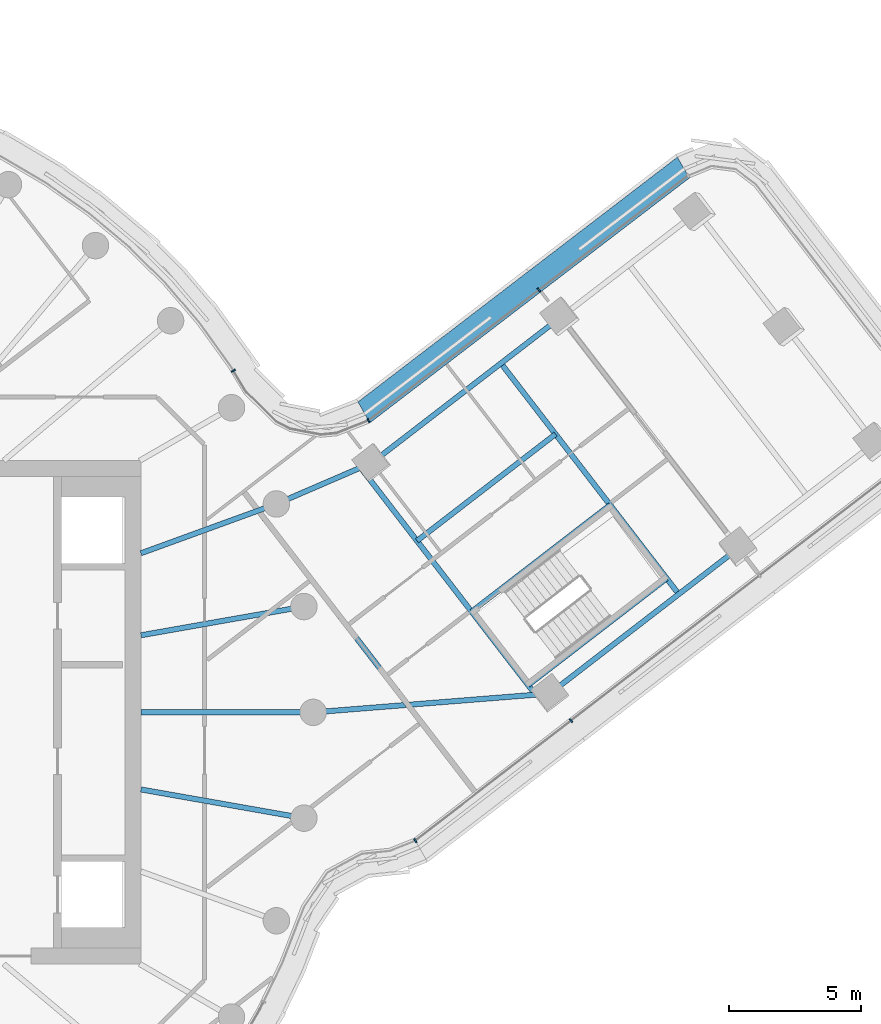
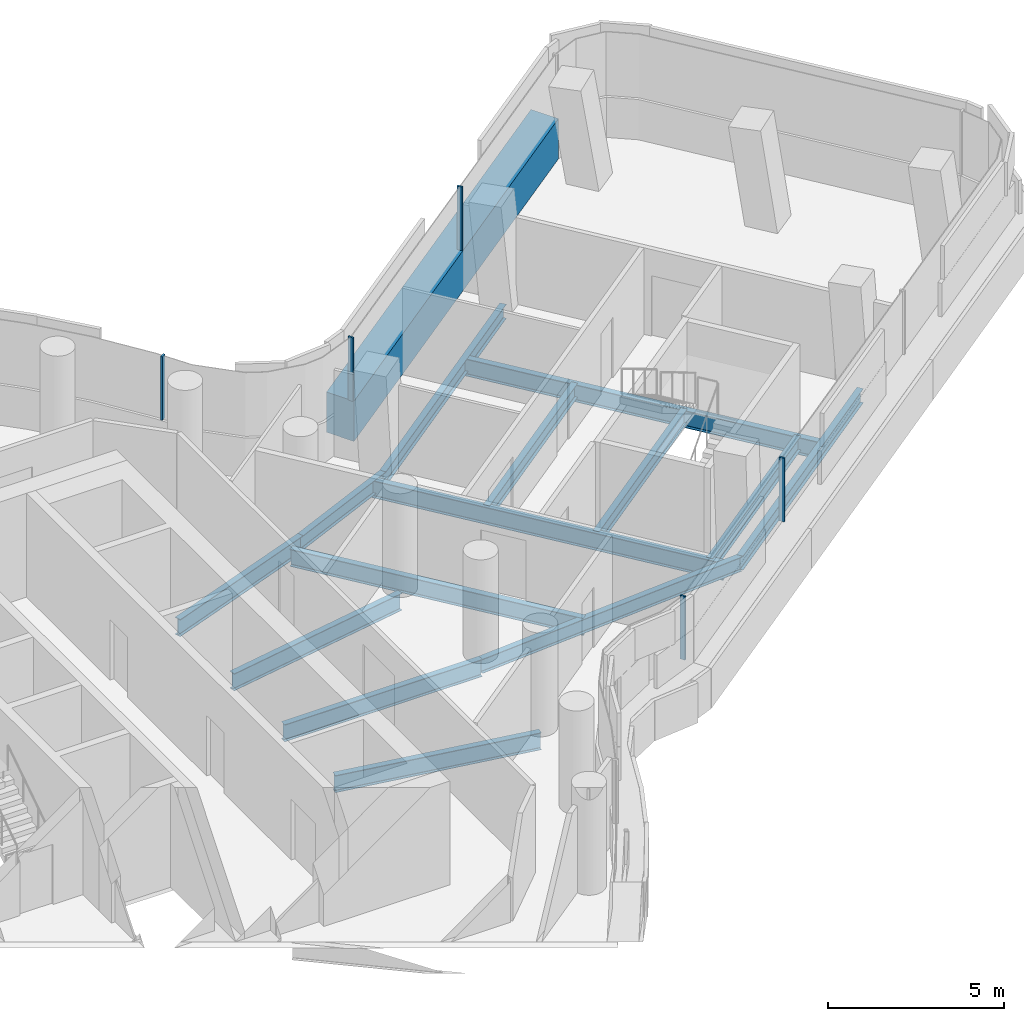
# One storey, part 12 of 33: 14 beams, 6 members, 3 elements without a shape of their own.
"""IFC4 building model written with IfcOpenShell, lengths in metres."""

from ifc_helpers import new_model, si_unit, direction, frame, origin, origin_2d, place, context, subcontext, project, spatial, polyline, rectangle, i_section, outline, extrude, material, layer, layer_set, material_profile, profile_set, type_object, element, aggregate, save


model = new_model("IFC4")

# Units and contexts
model_context = context("Model", 3, precision=1e-05, world=origin(), true_north=direction((0.0, 1.0)))
body_context = subcontext(model_context, "Body", "Model", "MODEL_VIEW")
ifc_project = project(units=[si_unit("LENGTHUNIT", "METRE"), si_unit("AREAUNIT", "SQUARE_METRE"), si_unit("VOLUMEUNIT", "CUBIC_METRE"), si_unit("PLANEANGLEUNIT", "RADIAN"), si_unit("MASSUNIT", "GRAM", prefix="KILO")], contexts=[model_context])

# Site, building, storey
site_placement = place(None, origin())
site = spatial("IfcSite", under=ifc_project, at=site_placement, CompositionType="ELEMENT")
building_placement = place(site_placement, origin())
building = spatial("IfcBuilding", under=site, at=building_placement, Name="Tamarind Cross Interchange Tower", CompositionType="ELEMENT")
storey_placement = place(building_placement, frame((0.0, 0.0, 170.5)))
storey = spatial("IfcBuildingStorey", under=building, at=storey_placement, Name="L42", CompositionType="ELEMENT", Elevation=170.5)

# Beams
ifc_material_1 = material(Name="Steel Q355B", Category="steel")
ifc_material_profile_1 = material_profile(ifc_material_1, i_section(OverallWidth=0.198974609375, OverallDepth=0.49609375, WebThickness=0.009033203125, FlangeThickness=0.013916015625, FilletRadius=0.012939453125, at=origin_2d()), Name="HN 496x199x9x14")
ifc_profile_set_1 = profile_set([ifc_material_profile_1], Name="Steel Q355B")
beam_type_1 = type_object("IfcBeamType", Name="Composite beam HN 496x199x9x14 Q355B", PredefinedType="BEAM", material=ifc_profile_set_1)
for number, where, z_axis, x_axis, name in (
    (1, (39.06103515625, 6.20166015625, -0.387939453125), (-0.792152817662, -0.610322794486, 0.0), (0.610322794486, -0.792152817662, 0.0), "Beam E-edgeem6"),
    (2, (32.347412109375, 14.91552734375, -0.387939453125), (-0.792152817662, -0.610322794486, 0.0), (0.610322794486, -0.792152817662, 0.0), "Beam E-edgeep3"),
):
    element("IfcBeam", number, at=place(storey_placement, frame(where, z_axis=z_axis, x_axis=x_axis)), inside=storey, type_object=beam_type_1, Name=name, PredefinedType="BEAM", context=body_context, shape_type="SweptSolid", body=[
        extrude(i_section(OverallWidth=0.198974609375, OverallDepth=0.49609375, WebThickness=0.009033203125, FlangeThickness=0.013916015625, FilletRadius=0.012939453125, at=origin_2d()), origin(), (0.0, 0.0, 1.0), 9.0),
    ])
beam_1_placement = place(storey_placement, frame((31.931640625, 0.708740234375, -0.387939453125), z_axis=(-0.996866449961, -0.079102976827, 0.0), x_axis=(0.079102976827, -0.996866449961, 0.0)))
element("IfcBeam", 3, at=beam_1_placement, inside=storey, type_object=beam_type_1, Name="Beam E-linkem", PredefinedType="BEAM", context=body_context, shape_type="SweptSolid", body=[
    extrude(i_section(OverallWidth=0.198974609375, OverallDepth=0.49609375, WebThickness=0.009033203125, FlangeThickness=0.013916015625, FilletRadius=0.012939453125, at=origin_2d()), origin(), (0.0, 0.0, 1.0), 8.959716796875),
])
beam_2_placement = place(storey_placement, frame((25.218017578125, 9.422607421875, -0.387939453125), z_axis=(-0.918112748588, -0.396319291582, 0.0), x_axis=(0.396319291582, -0.918112748588, 0.0)))
element("IfcBeam", 4, at=beam_2_placement, inside=storey, type_object=beam_type_1, Name="Beam E-linkep", PredefinedType="BEAM", context=body_context, shape_type="SweptSolid", body=[
    extrude(i_section(OverallWidth=0.198974609375, OverallDepth=0.49609375, WebThickness=0.009033203125, FlangeThickness=0.013916015625, FilletRadius=0.012939453125, at=origin_2d()), origin(), (0.0, 0.0, 1.0), 3.926513671875),
])
for number, where, z_axis, x_axis, name in (
    (5, (31.117431640625, 1.0283203125, -0.387939453125), (0.792160342435, 0.610313027776, 0.0), (-0.610313027776, 0.792160342435, 0.0), "Beam E-tr0"),
    (6, (28.981201171875, 3.80078125, -0.387939453125), (0.792160342435, 0.610313027776, 0.0), (-0.610313027776, 0.792160342435, 0.0), "Beam E-tr1"),
    (7, (26.92138671875, 6.474365234375, -0.387939453125), (0.792160342435, 0.610313027776, 0.0), (-0.610313027776, 0.792160342435, 0.0), "Beam E-stripp"),
):
    element("IfcBeam", number, at=place(storey_placement, frame(where, z_axis=z_axis, x_axis=x_axis)), inside=storey, type_object=beam_type_1, Name=name, PredefinedType="BEAM", context=body_context, shape_type="SweptSolid", body=[
        extrude(i_section(OverallWidth=0.198974609375, OverallDepth=0.49609375, WebThickness=0.009033203125, FlangeThickness=0.013916015625, FilletRadius=0.012939453125, at=origin_2d()), origin(), (0.0, 0.0, 1.0), 6.60009765625),
    ])
ifc_material_profile_2 = material_profile(ifc_material_1, i_section(OverallWidth=0.198974609375, OverallDepth=0.595947265625, WebThickness=0.010009765625, FlangeThickness=0.014892578125, FilletRadius=0.012939453125, at=origin_2d()), Name="HN 596x199x10x15")
ifc_profile_set_2 = profile_set([ifc_material_profile_2], Name="Steel Q355B")
beam_type_2 = type_object("IfcBeamType", Name="Composite beam HN 596x199x10x15 Q355B", PredefinedType="BEAM", material=ifc_profile_set_2)
beam_3_placement = place(storey_placement, frame((23.0, 0.0, -0.43798828125), z_axis=(-1.0, 0.0, 0.0), x_axis=(0.0, -1.0, 0.0)))
element("IfcBeam", 8, at=beam_3_placement, inside=storey, type_object=beam_type_2, Name="Beam HH00", PredefinedType="BEAM", context=body_context, shape_type="SweptSolid", body=[
    extrude(i_section(OverallWidth=0.198974609375, OverallDepth=0.595947265625, WebThickness=0.010009765625, FlangeThickness=0.014892578125, FilletRadius=0.012939453125, at=origin_2d()), origin(), (0.0, 0.0, 1.0), 6.5),
])
beam_4_placement = place(storey_placement, frame((22.650634765625, 3.993896484375, -0.43798828125), z_axis=(-0.984809127561, -0.173640382036, 0.0), x_axis=(0.173640382036, -0.984809127561, 0.0)))
element("IfcBeam", 9, at=beam_4_placement, inside=storey, type_object=beam_type_2, Name="Beam HH01", PredefinedType="BEAM", context=body_context, shape_type="SweptSolid", body=[
    extrude(i_section(OverallWidth=0.198974609375, OverallDepth=0.595947265625, WebThickness=0.010009765625, FlangeThickness=0.014892578125, FilletRadius=0.012939453125, at=origin_2d()), origin(), (0.0, 0.0, 1.0), 6.24560546875),
])
beam_5_placement = place(storey_placement, frame((21.613037109375, 7.866455078125, -0.43798828125), z_axis=(-0.939701685589, -0.341995236956, 0.0), x_axis=(0.341995236956, -0.939701685589, 0.0)))
element("IfcBeam", 10, at=beam_5_placement, inside=storey, type_object=beam_type_2, Name="Beam HH02", PredefinedType="BEAM", context=body_context, shape_type="SweptSolid", body=[
    extrude(i_section(OverallWidth=0.198974609375, OverallDepth=0.595947265625, WebThickness=0.010009765625, FlangeThickness=0.014892578125, FilletRadius=0.012939453125, at=origin_2d()), origin(), (0.0, 0.0, 1.0), 5.441162109375),
])
beam_6_placement = place(storey_placement, frame((22.650634765625, -3.993896484375, -0.43798828125), z_axis=(-0.984809127561, 0.173640382036, 0.0), x_axis=(-0.173640382036, -0.984809127561, 0.0)))
element("IfcBeam", 11, at=beam_6_placement, inside=storey, type_object=beam_type_2, Name="Beam HH35", PredefinedType="BEAM", context=body_context, shape_type="SweptSolid", body=[
    extrude(i_section(OverallWidth=0.198974609375, OverallDepth=0.595947265625, WebThickness=0.010009765625, FlangeThickness=0.014892578125, FilletRadius=0.012939453125, at=origin_2d()), origin(), (0.0, 0.0, 1.0), 6.24560546875),
])
ifc_material_profile_3 = material_profile(ifc_material_1, i_section(OverallWidth=0.199951171875, OverallDepth=0.60009765625, WebThickness=0.010986328125, FlangeThickness=0.01708984375, FilletRadius=0.012939453125, at=origin_2d()), Name="HN 600x200x11x17")
ifc_profile_set_3 = profile_set([ifc_material_profile_3], Name="Steel Q355B")
beam_type_3 = type_object("IfcBeamType", Name="Composite beam HN 600x200x11x17 Q355B", PredefinedType="BEAM", material=ifc_profile_set_3)
beam_7_placement = place(storey_placement, frame((31.396240234375, 0.666259765625, -0.43994140625), z_axis=(-0.610316790724, 0.792157443291, 0.0), x_axis=(-0.792157443291, -0.610316790724, 0.0)))
element("IfcBeam", 12, at=beam_7_placement, inside=storey, type_object=beam_type_3, Name="Beam E-x298", PredefinedType="BEAM", context=body_context, shape_type="SweptSolid", body=[
    extrude(i_section(OverallWidth=0.199951171875, OverallDepth=0.60009765625, WebThickness=0.010986328125, FlangeThickness=0.01708984375, FilletRadius=0.012939453125, at=origin_2d()), origin(), (0.0, 0.0, 1.0), 10.821533203125),
])
beam_8_placement = place(storey_placement, frame((36.803466796875, 4.46240234375, -0.43994140625), z_axis=(-0.61032946621, 0.792147677315, 0.0), x_axis=(-0.792147677315, -0.61032946621, 0.0)))
element("IfcBeam", 13, at=beam_8_placement, inside=storey, type_object=beam_type_3, Name="Beam E-x364", PredefinedType="BEAM", context=body_context, shape_type="SweptSolid", body=[
    extrude(i_section(OverallWidth=0.199951171875, OverallDepth=0.60009765625, WebThickness=0.010986328125, FlangeThickness=0.01708984375, FilletRadius=0.012939453125, at=origin_2d()), origin(), (0.0, 0.0, 1.0), 11.0),
])
beam_9_placement = place(storey_placement, frame((26.578369140625, 0.283935546875, -0.43994140625), z_axis=(-0.610332028188, 0.79214570337, 0.0), x_axis=(-0.79214570337, -0.610332028188, 0.0)))
element("IfcBeam", 14, at=beam_9_placement, inside=storey, type_object=beam_type_3, Name="Beam E-x258", PredefinedType="BEAM", context=body_context, shape_type="SweptSolid", body=[
    extrude(i_section(OverallWidth=0.199951171875, OverallDepth=0.60009765625, WebThickness=0.010986328125, FlangeThickness=0.01708984375, FilletRadius=0.012939453125, at=origin_2d()), origin(), (0.0, 0.0, 1.0), 9.037109375),
])

# Curtain wall, members
ifc_material_2 = material(Name="Aluminium 6063-T6", Category="aluminium")
ifc_layer = layer(ifc_material_2, 0.159912109375)
ifc_layer_set = layer_set([ifc_layer], Name="Aluminium 6063-T6")
curtain_wall_type = type_object("IfcCurtainWallType", Name="Office curtain wall, 9.0 m bays", PredefinedType="NOTDEFINED", material=ifc_layer_set)
curtain_wall_1_placement = place(storey_placement, origin())
curtain_wall_1 = element("IfcCurtainWall", 15, at=curtain_wall_1_placement, inside=storey, type_object=curtain_wall_type, Name="CWS-L42-01", PredefinedType="NOTDEFINED")
ifc_material_3 = material(Name="Aluminium and insulated spandrel panel", Category="aluminium")
member_type_1 = type_object("IfcMemberType", Name="Floor-edge blade transom", PredefinedType="USERDEFINED", material=ifc_material_3)
member_1_placement = place(storey_placement, origin())
member_1 = element("IfcMember", 16, at=member_1_placement, type_object=member_type_1, Name="CWT-L42-01", ObjectType="TRANSOM", PredefinedType="USERDEFINED", context=body_context, shape_type="SweptSolid", body=[
    extrude(outline(polyline([(37.205078125, 20.173095703125), (25.139892578125, 10.9267578125), (24.69287109375, 11.718017578125), (36.750732421875, 20.958740234375), (37.205078125, 20.173095703125)])), origin(), (0.0, 0.0, 1.0), 1.39990234375),
])
ifc_material_profile_4 = material_profile(ifc_material_2, rectangle(XDim=0.06005859375, YDim=0.159912109375, at=origin_2d()), Name="Mullion CW1")
ifc_profile_set_4 = profile_set([ifc_material_profile_4], Name="Aluminium 6063-T6")
member_type_2 = type_object("IfcMemberType", Name="Mullion CW1", PredefinedType="MULLION", material=ifc_profile_set_4)
member_2_placement = place(storey_placement, frame((31.52099609375, 15.94287109375, 1.39990234375), z_axis=(0.0, 0.0, 1.0), x_axis=(-0.793725115769, -0.608276615198, 0.0)))
member_2 = element("IfcMember", 17, at=member_2_placement, type_object=member_type_2, Name="CWM-L42-01-01", PredefinedType="MULLION", context=body_context, shape_type="SweptSolid", body=[
    extrude(rectangle(XDim=0.06005859375, YDim=0.159912109375, at=origin_2d()), origin(), (0.0, 0.0, 1.0), 2.210205078125),
])
aggregate(curtain_wall_1, [member_2, member_1])

curtain_wall_2_placement = place(storey_placement, origin())
curtain_wall_2 = element("IfcCurtainWall", 18, at=curtain_wall_2_placement, inside=storey, type_object=curtain_wall_type, Name="CWS-L42-02", PredefinedType="NOTDEFINED")
member_3_placement = place(storey_placement, frame((25.090087890625, 11.0146484375, 1.39990234375), z_axis=(0.0, 0.0, 1.0), x_axis=(-0.870610944593, -0.491972136563, 0.0)))
member_3 = element("IfcMember", 19, at=member_3_placement, type_object=member_type_2, Name="CWM-L42-02-00", PredefinedType="MULLION", context=body_context, shape_type="SweptSolid", body=[
    extrude(rectangle(XDim=0.06005859375, YDim=0.159912109375, at=origin_2d()), origin(), (0.0, 0.0, 1.0), 2.210205078125),
])
member_4_placement = place(storey_placement, frame((19.989501953125, 12.89501953125, 1.39990234375), z_axis=(0.0, 0.0, 1.0), x_axis=(-0.51810078136, 0.855319577909, 0.0)))
member_4 = element("IfcMember", 20, at=member_4_placement, type_object=member_type_2, Name="CWM-L42-02-01", PredefinedType="MULLION", context=body_context, shape_type="SweptSolid", body=[
    extrude(rectangle(XDim=0.06005859375, YDim=0.159912109375, at=origin_2d()), origin(), (0.0, 0.0, 1.0), 2.210205078125),
])
aggregate(curtain_wall_2, [member_3, member_4])

curtain_wall_3_placement = place(storey_placement, origin())
curtain_wall_3 = element("IfcCurtainWall", 21, at=curtain_wall_3_placement, inside=storey, type_object=curtain_wall_type, Name="CWS-L42-15", PredefinedType="NOTDEFINED")
member_5_placement = place(storey_placement, frame((26.85791015625, -4.841552734375, 1.39990234375), z_axis=(0.0, 0.0, 1.0), x_axis=(0.868373613781, 0.495910543231, 0.0)))
member_5 = element("IfcMember", 22, at=member_5_placement, type_object=member_type_2, Name="CWM-L42-15-00", PredefinedType="MULLION", context=body_context, shape_type="SweptSolid", body=[
    extrude(rectangle(XDim=0.06005859375, YDim=0.159912109375, at=origin_2d()), origin(), (0.0, 0.0, 1.0), 2.210205078125),
])
member_6_placement = place(storey_placement, frame((32.7333984375, -0.314453125, 1.39990234375), z_axis=(0.0, 0.0, 1.0), x_axis=(0.792153315847, 0.610322147879, 0.0)))
member_6 = element("IfcMember", 23, at=member_6_placement, type_object=member_type_2, Name="CWM-L42-15-01", PredefinedType="MULLION", context=body_context, shape_type="SweptSolid", body=[
    extrude(rectangle(XDim=0.06005859375, YDim=0.159912109375, at=origin_2d()), origin(), (0.0, 0.0, 1.0), 2.210205078125),
])
aggregate(curtain_wall_3, [member_5, member_6])

save(model, "model.ifc")
